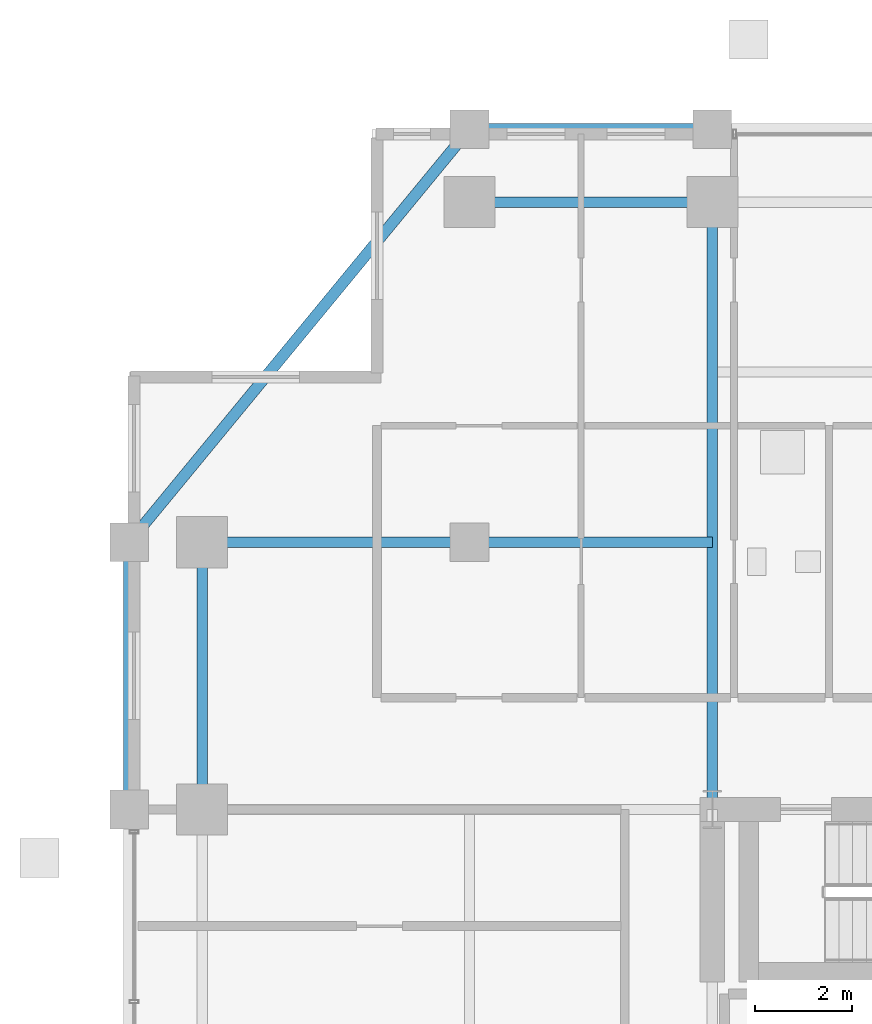
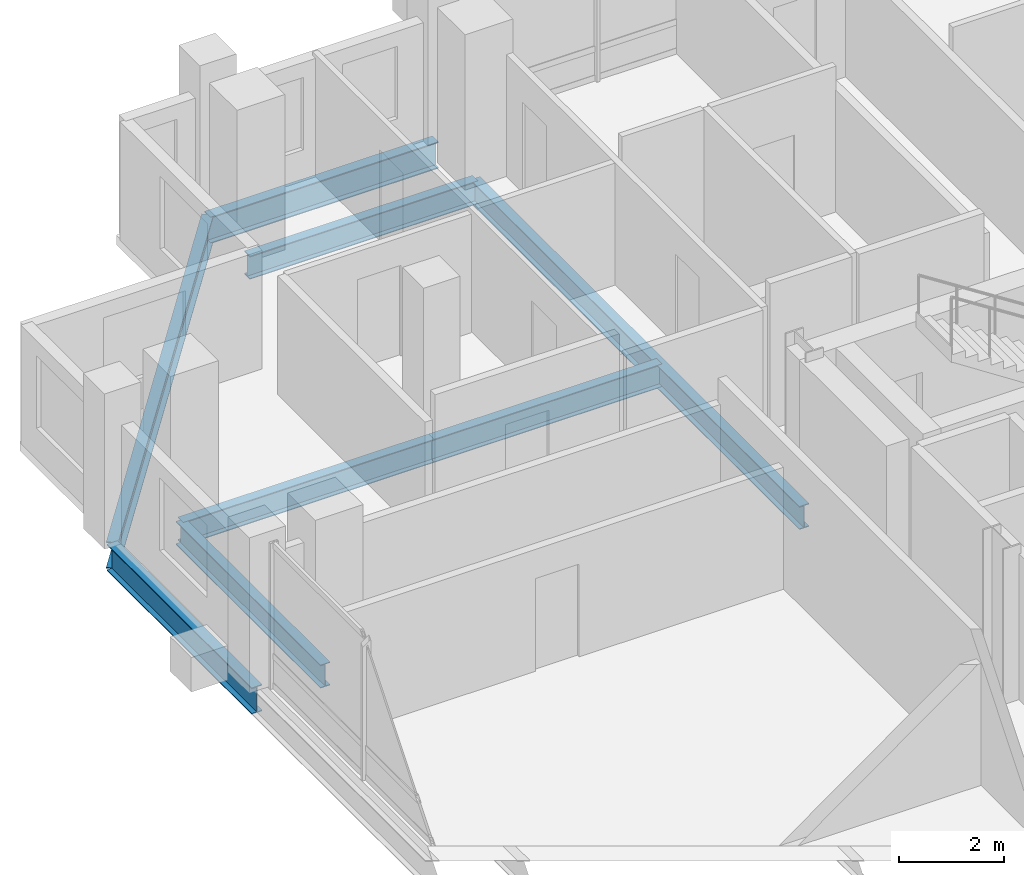
# One storey, part 12 of 24: 8 beams.
"""IFC4 building model written with IfcOpenShell, lengths in metres."""

from ifc_helpers import new_model, si_unit, direction, frame, origin, origin_2d, place, context, subcontext, project, spatial, i_section, extrude, material, material_profile, profile_set, type_object, element, save


model = new_model("IFC4")

# Units and contexts
model_context = context("Model", 3, precision=1e-05, world=origin(), true_north=direction((0.0, 1.0)))
body_context = subcontext(model_context, "Body", "Model", "MODEL_VIEW")
ifc_project = project(units=[si_unit("LENGTHUNIT", "METRE"), si_unit("AREAUNIT", "SQUARE_METRE"), si_unit("VOLUMEUNIT", "CUBIC_METRE"), si_unit("PLANEANGLEUNIT", "RADIAN"), si_unit("MASSUNIT", "GRAM", prefix="KILO")], contexts=[model_context])

# Site, building, storey
site_placement = place(None, origin())
site = spatial("IfcSite", under=ifc_project, at=site_placement, CompositionType="ELEMENT")
building_placement = place(site_placement, origin())
building = spatial("IfcBuilding", under=site, at=building_placement, Name="Barlavira Tower and Art Museum", CompositionType="ELEMENT")
storey_placement = place(building_placement, frame((0.0, 0.0, 201.60009765625)))
storey = spatial("IfcBuildingStorey", under=building, at=storey_placement, Name="L52", CompositionType="ELEMENT", Elevation=201.60009765625)

# Beams
ifc_material = material(Name="Steel S355", Category="steel")
ifc_material_profile_1 = material_profile(ifc_material, i_section(OverallWidth=0.22998046875, OverallDepth=0.616943359375, WebThickness=0.01318359375, FlangeThickness=0.022216796875, at=origin_2d()), Name="W610x140.0")
ifc_profile_set_1 = profile_set([ifc_material_profile_1], Name="Steel S355")
beam_type_1 = type_object("IfcBeamType", Name="Upper Shaft Spandrel Edge Beam W610x140 Steel S355", PredefinedType="SPANDREL", material=ifc_profile_set_1)
beam_1_placement = place(storey_placement, frame((-11.5, 21.5, -0.528564453125), z_axis=(1.0, 0.0, 0.0), x_axis=(0.0, 1.0, 0.0)))
element("IfcBeam", 1, at=beam_1_placement, inside=storey, type_object=beam_type_1, Name="L52 Spandrel 11", PredefinedType="SPANDREL", context=body_context, shape_type="SweptSolid", body=[
    extrude(i_section(OverallWidth=0.22998046875, OverallDepth=0.616943359375, WebThickness=0.01318359375, FlangeThickness=0.022216796875, at=origin_2d()), origin(), (0.0, 0.0, 1.0), 5.0),
])
beam_2_placement = place(storey_placement, frame((-11.5, 21.5, -0.528564453125), z_axis=(-0.635707252861, -0.771930235617, 0.0), x_axis=(0.771930235617, -0.635707252861, 0.0)))
element("IfcBeam", 2, at=beam_2_placement, inside=storey, type_object=beam_type_1, Name="L52 Spandrel 12", PredefinedType="SPANDREL", context=body_context, shape_type="SweptSolid", body=[
    extrude(i_section(OverallWidth=0.22998046875, OverallDepth=0.616943359375, WebThickness=0.01318359375, FlangeThickness=0.022216796875, at=origin_2d()), origin(), (0.0, 0.0, 1.0), 11.011474609375),
])
beam_3_placement = place(storey_placement, frame((-18.5, 7.5, -0.528564453125), z_axis=(0.0, 1.0, 0.0), x_axis=(-1.0, 0.0, 0.0)))
element("IfcBeam", 3, at=beam_3_placement, inside=storey, type_object=beam_type_1, Name="L52 Spandrel 13", PredefinedType="SPANDREL", context=body_context, shape_type="SweptSolid", body=[
    extrude(i_section(OverallWidth=0.22998046875, OverallDepth=0.616943359375, WebThickness=0.01318359375, FlangeThickness=0.022216796875, at=origin_2d()), origin(), (0.0, 0.0, 1.0), 5.5),
])
ifc_material_profile_2 = material_profile(ifc_material, i_section(OverallWidth=0.2109375, OverallDepth=0.5390625, WebThickness=0.01171875, FlangeThickness=0.018798828125, at=origin_2d()), Name="W530x109.0")
ifc_profile_set_2 = profile_set([ifc_material_profile_2], Name="Steel S355")
beam_type_2 = type_object("IfcBeamType", Name="Zone 3-4 Primary Floor Girder W530x109 Steel S355", PredefinedType="BEAM", material=ifc_profile_set_2)
beam_4_placement = place(storey_placement, frame((-11.5, 20.0, -0.489501953125), z_axis=(1.0, 0.0, 0.0), x_axis=(0.0, 1.0, 0.0)))
element("IfcBeam", 4, at=beam_4_placement, inside=storey, type_object=beam_type_2, Name="L52 Girder M-N1", PredefinedType="BEAM", context=body_context, shape_type="SweptSolid", body=[
    extrude(i_section(OverallWidth=0.2109375, OverallDepth=0.5390625, WebThickness=0.01171875, FlangeThickness=0.018798828125, at=origin_2d()), origin(), (0.0, 0.0, 1.0), 5.0),
])
beam_5_placement = place(storey_placement, frame((-17.0, 7.5, -0.489501953125), z_axis=(0.0, 1.0, 0.0), x_axis=(-1.0, 0.0, 0.0)))
element("IfcBeam", 5, at=beam_5_placement, inside=storey, type_object=beam_type_2, Name="L52 Girder M-W3", PredefinedType="BEAM", context=body_context, shape_type="SweptSolid", body=[
    extrude(i_section(OverallWidth=0.2109375, OverallDepth=0.5390625, WebThickness=0.01171875, FlangeThickness=0.018798828125, at=origin_2d()), origin(), (0.0, 0.0, 1.0), 5.5),
])
beam_6_placement = place(storey_placement, frame((-6.5, 7.5, -0.489501953125), z_axis=(0.0, 1.0, 0.0), x_axis=(-1.0, 0.0, 0.0)))
element("IfcBeam", 6, at=beam_6_placement, inside=storey, type_object=beam_type_2, Name="L52 Girder R-N1", PredefinedType="BEAM", context=body_context, shape_type="SweptSolid", body=[
    extrude(i_section(OverallWidth=0.2109375, OverallDepth=0.5390625, WebThickness=0.01171875, FlangeThickness=0.018798828125, at=origin_2d()), origin(), (0.0, 0.0, 1.0), 12.5),
])
beam_7_placement = place(storey_placement, frame((-17.0, 13.0, -0.489501953125), z_axis=(1.0, 0.0, 0.0), x_axis=(0.0, 1.0, 0.0)))
element("IfcBeam", 7, at=beam_7_placement, inside=storey, type_object=beam_type_2, Name="L52 Girder I-N1", PredefinedType="BEAM", context=body_context, shape_type="SweptSolid", body=[
    extrude(i_section(OverallWidth=0.2109375, OverallDepth=0.5390625, WebThickness=0.01171875, FlangeThickness=0.018798828125, at=origin_2d()), origin(), (0.0, 0.0, 1.0), 5.5),
])
beam_8_placement = place(storey_placement, frame((-11.5, 13.0, -0.489501953125), z_axis=(1.0, 0.0, 0.0), x_axis=(0.0, 1.0, 0.0)))
element("IfcBeam", 8, at=beam_8_placement, inside=storey, type_object=beam_type_2, Name="L52 Girder I-N2", PredefinedType="BEAM", context=body_context, shape_type="SweptSolid", body=[
    extrude(i_section(OverallWidth=0.2109375, OverallDepth=0.5390625, WebThickness=0.01171875, FlangeThickness=0.018798828125, at=origin_2d()), origin(), (0.0, 0.0, 1.0), 5.0),
])

save(model, "model.ifc")
